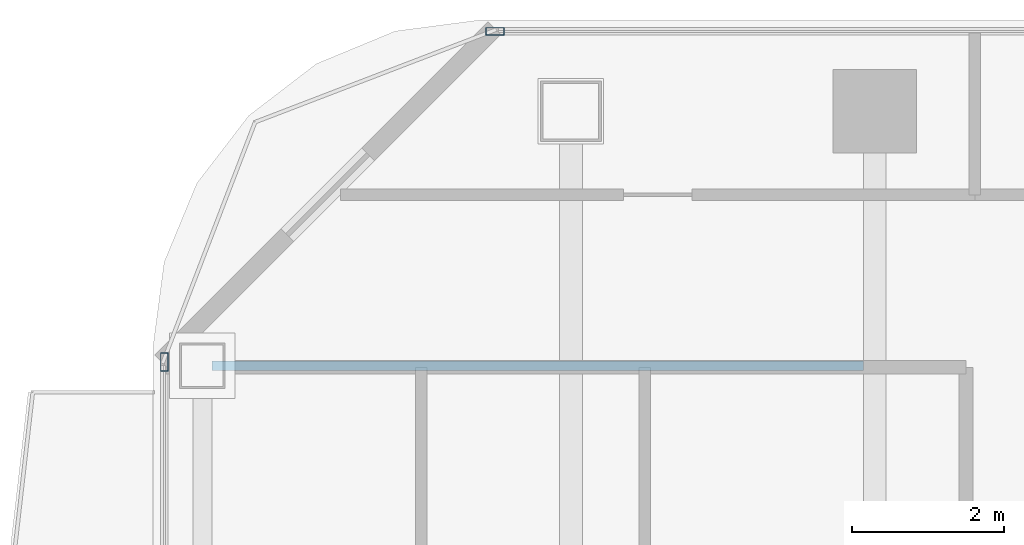
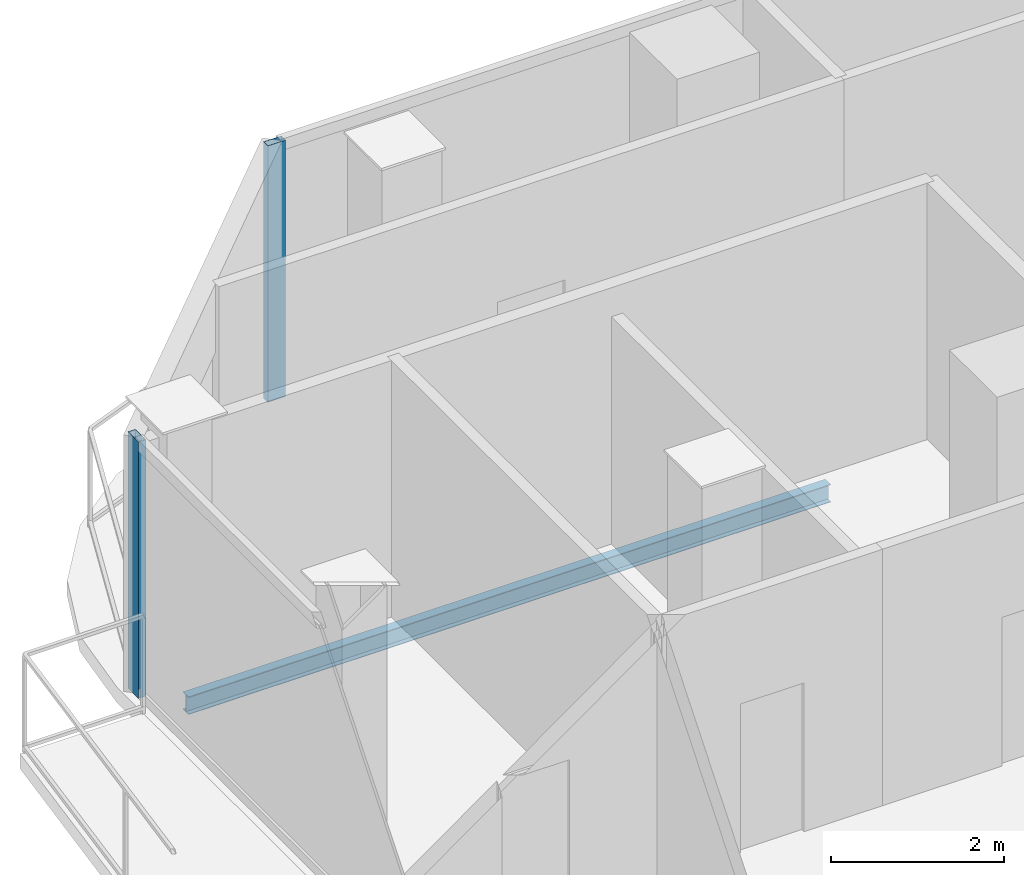
# One storey, part 11 of 24: 2 members, 1 beam, 2 elements without a shape of their own.
"""IFC4 building model written with IfcOpenShell, lengths in metres."""

from ifc_helpers import new_model, si_unit, direction, frame, origin, origin_2d, place, context, subcontext, project, spatial, hollow_rectangle, i_section, extrude, material, layer, layer_set, material_profile, profile_set, type_object, element, aggregate, save


model = new_model("IFC4")

# Units and contexts
model_context = context("Model", 3, precision=1e-05, world=origin(), true_north=direction((0.0, 1.0)))
body_context = subcontext(model_context, "Body", "Model", "MODEL_VIEW")
ifc_project = project(units=[si_unit("LENGTHUNIT", "METRE"), si_unit("AREAUNIT", "SQUARE_METRE"), si_unit("VOLUMEUNIT", "CUBIC_METRE"), si_unit("PLANEANGLEUNIT", "RADIAN"), si_unit("MASSUNIT", "GRAM", prefix="KILO")], contexts=[model_context])

# Site, building, storey
site_placement = place(None, origin())
site = spatial("IfcSite", under=ifc_project, at=site_placement, CompositionType="ELEMENT")
building_placement = place(site_placement, origin())
building = spatial("IfcBuilding", under=site, at=building_placement, Name="Khorvyn Point Tower", CompositionType="ELEMENT")
storey_placement = place(building_placement, frame((0.0, 0.0, 215.699951171875)))
storey = spatial("IfcBuildingStorey", under=building, at=storey_placement, Name="L53", CompositionType="ELEMENT", Elevation=215.699951171875)

# Curtain wall, member
ifc_material_1 = material(Name="Anodised aluminium 6063-T6 and laminated Low-E glass", Category="aluminium")
ifc_layer = layer(ifc_material_1, 0.18994140625)
ifc_layer_set = layer_set([ifc_layer], Name="Stick-Built Acoustic Curtain Wall CW-SYS-03")
curtain_wall_type = type_object("IfcCurtainWallType", Name="Stick-Built Acoustic Curtain Wall CW-SYS-03", PredefinedType="NOTDEFINED", material=ifc_layer_set)
curtain_wall_1_placement = place(storey_placement, origin())
curtain_wall_1 = element("IfcCurtainWall", 1, at=curtain_wall_1_placement, inside=storey, type_object=curtain_wall_type, Name="Curtain Wall", PredefinedType="NOTDEFINED")
ifc_material_2 = material(Name="Anodised aluminium 6063-T6", Category="aluminium")
ifc_material_profile_1 = material_profile(ifc_material_2, hollow_rectangle(XDim=0.10009765625, YDim=0.239990234375, WallThickness=0.0048828125, at=origin_2d()))
ifc_profile_set_1 = profile_set([ifc_material_profile_1], Name="Anodised aluminium 6063-T6 ALU-MUL-100x240")
member_type = type_object("IfcMemberType", Name="Anodised Aluminium 6063-T6 Mullion ALU-MUL-100x240", PredefinedType="MULLION", material=ifc_profile_set_1)
member_1_placement = place(storey_placement, frame((-19.800048828125, 15.85009765625, 0.0), z_axis=(0.0, 0.0, 1.0), x_axis=(0.0, 1.0, 0.0)))
member_1 = element("IfcMember", 2, at=member_1_placement, type_object=member_type, Name="Transom", PredefinedType="MULLION", context=body_context, shape_type="SweptSolid", body=[
    extrude(hollow_rectangle(XDim=0.10009765625, YDim=0.239990234375, WallThickness=0.0048828125, at=origin_2d()), origin(), (0.0, 0.0, 1.0), 3.6201171875),
])
aggregate(curtain_wall_1, [member_1])

curtain_wall_2_placement = place(storey_placement, origin())
curtain_wall_2 = element("IfcCurtainWall", 3, at=curtain_wall_2_placement, inside=storey, type_object=curtain_wall_type, Name="Curtain Wall", PredefinedType="NOTDEFINED")
member_2_placement = place(storey_placement, frame((-24.14990234375, 11.5, 0.0), z_axis=(0.0, 0.0, 1.0), x_axis=(-1.0, 0.0, 0.0)))
member_2 = element("IfcMember", 4, at=member_2_placement, type_object=member_type, Name="Transom", PredefinedType="MULLION", context=body_context, shape_type="SweptSolid", body=[
    extrude(hollow_rectangle(XDim=0.10009765625, YDim=0.239990234375, WallThickness=0.0048828125, at=origin_2d()), origin(), (0.0, 0.0, 1.0), 3.6201171875),
])
aggregate(curtain_wall_2, [member_2])

# Beam
ifc_material_3 = material(Name="Steel S355", Category="steel")
ifc_material_profile_2 = material_profile(ifc_material_3, i_section(OverallWidth=0.125, OverallDepth=0.25, WebThickness=0.006103515625, FlangeThickness=0.009033203125, at=origin_2d()))
ifc_profile_set_2 = profile_set([ifc_material_profile_2], Name="Steel S355 H250x125x6x9")
beam_type = type_object("IfcBeamType", Name="Steel S355 Joist H250x125x6x9", PredefinedType="JOIST", material=ifc_profile_set_2)
beam_placement = place(storey_placement, frame((-23.52490234375, 11.449951171875, -0.344970703125), z_axis=(1.0, 0.0, 0.0), x_axis=(0.0, 1.0, 0.0)))
element("IfcBeam", 5, at=beam_placement, inside=storey, type_object=beam_type, Name="Beam", PredefinedType="JOIST", context=body_context, shape_type="SweptSolid", body=[
    extrude(i_section(OverallWidth=0.125, OverallDepth=0.25, WebThickness=0.006103515625, FlangeThickness=0.009033203125, at=origin_2d()), origin(), (0.0, 0.0, 1.0), 8.574951171875),
])

save(model, "model.ifc")
